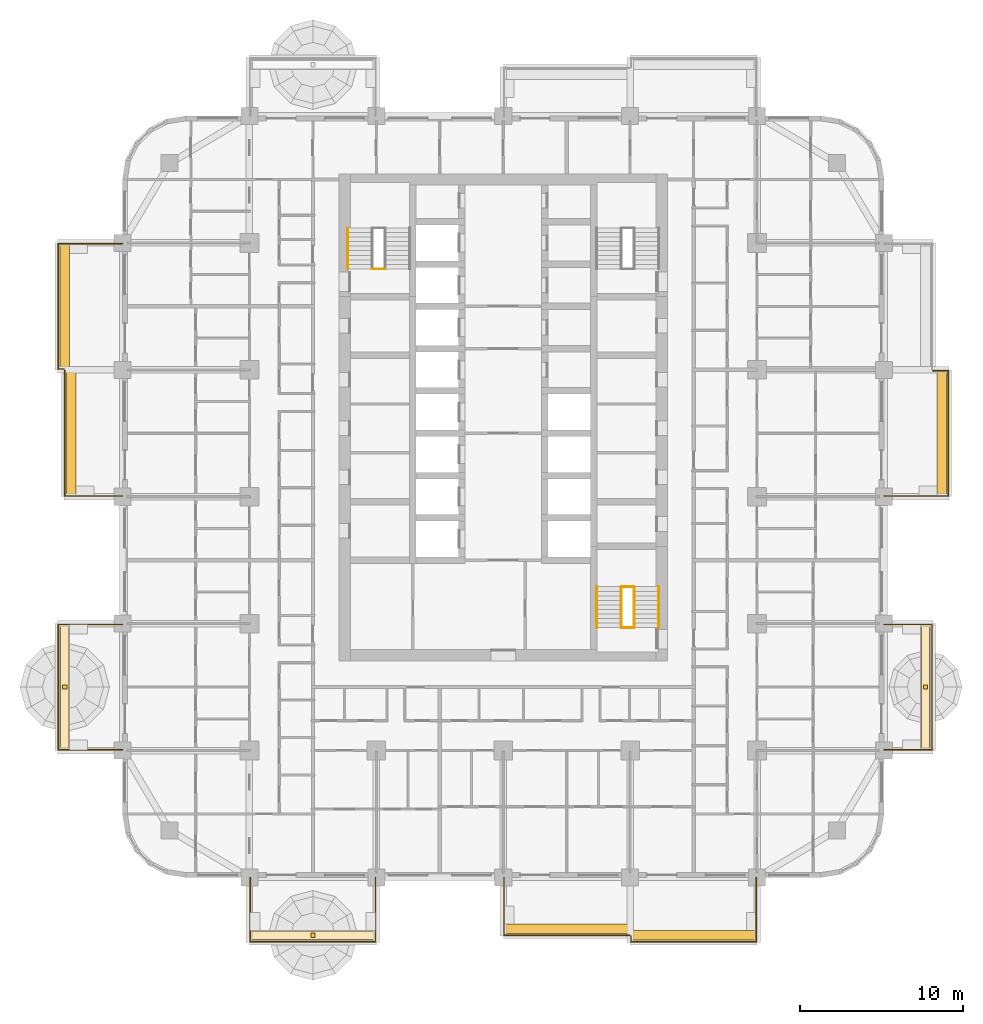
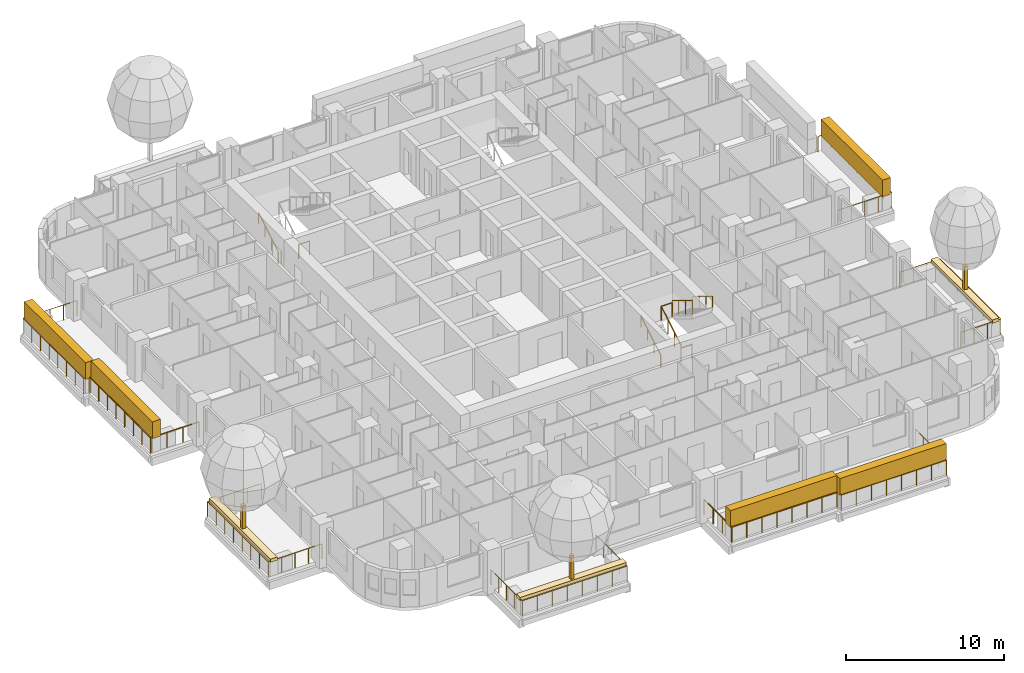
# One storey, part 17 of 19: 16 railings, 11 coverings, 2 elements without a shape of their own.
"""IFC4 building model written with IfcOpenShell, lengths in metres."""

from ifc_helpers import new_model, si_unit, direction, frame, origin, origin_2d, place, context, subcontext, project, spatial, rectangle, circle, extrude, material, layer, layer_set, type_object, element, aggregate, save


model = new_model("IFC4")

# Units and contexts
model_context = context("Model", 3, precision=1e-05, world=origin(), true_north=direction((0.0, 1.0)))
body_context = subcontext(model_context, "Body", "Model", "MODEL_VIEW")
ifc_project = project(units=[si_unit("LENGTHUNIT", "METRE"), si_unit("AREAUNIT", "SQUARE_METRE"), si_unit("VOLUMEUNIT", "CUBIC_METRE"), si_unit("PLANEANGLEUNIT", "RADIAN"), si_unit("MASSUNIT", "GRAM", prefix="KILO")], contexts=[model_context])

# Site, building, storey
site_placement = place(None, origin())
site = spatial("IfcSite", under=ifc_project, at=site_placement, CompositionType="ELEMENT")
building_placement = place(site_placement, origin())
building = spatial("IfcBuilding", under=site, at=building_placement, Name="Ludao Terraces", CompositionType="ELEMENT")
storey_placement = place(building_placement, frame((0.0, 0.0, 36.5)))
storey = spatial("IfcBuildingStorey", under=building, at=storey_placement, Name="L09", CompositionType="ELEMENT", Elevation=36.5)

# Railings
ifc_material_1 = material(Name="Stainless steel 304", Category="steel")
railing_type_1 = type_object("IfcRailingType", Name="ENV Balcony glass guard 1200", PredefinedType="GUARDRAIL", material=ifc_material_1)
railing_1_placement = place(storey_placement, frame((69.449951171875, 41.60009765625, 0.0)))
element("IfcRailing", 1, at=railing_1_placement, inside=storey, type_object=railing_type_1, Name="Balcony guard L09 S1", PredefinedType="GUARDRAIL", context=body_context, shape_type="SweptSolid", body=[
    extrude(circle(Radius=0.02392578125, at=origin_2d()), frame((0.0, 0.0, 1.17578125), z_axis=(0.0, -1.0, 0.0), x_axis=(1.0, 0.0, 0.0)), (0.0, 0.0, 1.0), 3.9501953125),
    extrude(circle(Radius=0.02392578125, at=origin_2d()), frame((0.0, -3.9501953125, 1.17578125), z_axis=(1.0, 0.0, 0.0), x_axis=(0.0, 1.0, 0.0)), (0.0, 0.0, 1.0), 7.699951171875),
    extrude(circle(Radius=0.02392578125, at=origin_2d()), frame((7.699951171875, -3.9501953125, 1.17578125), z_axis=(0.0, 1.0, 0.0), x_axis=(-1.0, 0.0, 0.0)), (0.0, 0.0, 1.0), 3.9501953125),
    extrude(circle(Radius=0.02099609375, at=origin_2d()), origin(), (0.0, 0.0, 1.0), 1.15185546875),
    extrude(circle(Radius=0.02099609375, at=origin_2d()), frame((0.0, -0.987548828125, 0.0)), (0.0, 0.0, 1.0), 1.15185546875),
    extrude(circle(Radius=0.02099609375, at=origin_2d()), frame((0.0, -1.97509765625, 0.0)), (0.0, 0.0, 1.0), 1.15185546875),
    extrude(circle(Radius=0.02099609375, at=origin_2d()), frame((0.0, -2.962646484375, 0.0)), (0.0, 0.0, 1.0), 1.15185546875),
    extrude(circle(Radius=0.02099609375, at=origin_2d()), frame((0.0, -3.9501953125, 0.0)), (0.0, 0.0, 1.0), 1.15185546875),
    extrude(circle(Radius=0.02099609375, at=origin_2d()), frame((1.10009765625, -3.9501953125, 0.0)), (0.0, 0.0, 1.0), 1.15185546875),
    extrude(circle(Radius=0.02099609375, at=origin_2d()), frame((2.199951171875, -3.9501953125, 0.0)), (0.0, 0.0, 1.0), 1.15185546875),
    extrude(circle(Radius=0.02099609375, at=origin_2d()), frame((3.300048828125, -3.9501953125, 0.0)), (0.0, 0.0, 1.0), 1.15185546875),
    extrude(circle(Radius=0.02099609375, at=origin_2d()), frame((4.39990234375, -3.9501953125, 0.0)), (0.0, 0.0, 1.0), 1.15185546875),
    extrude(circle(Radius=0.02099609375, at=origin_2d()), frame((5.5, -3.9501953125, 0.0)), (0.0, 0.0, 1.0), 1.15185546875),
    extrude(circle(Radius=0.02099609375, at=origin_2d()), frame((6.599853515625, -3.9501953125, 0.0)), (0.0, 0.0, 1.0), 1.15185546875),
    extrude(circle(Radius=0.02099609375, at=origin_2d()), frame((7.699951171875, -3.9501953125, 0.0)), (0.0, 0.0, 1.0), 1.15185546875),
    extrude(circle(Radius=0.02099609375, at=origin_2d()), frame((7.699951171875, -2.962646484375, 0.0)), (0.0, 0.0, 1.0), 1.15185546875),
    extrude(circle(Radius=0.02099609375, at=origin_2d()), frame((7.699951171875, -1.97509765625, 0.0)), (0.0, 0.0, 1.0), 1.15185546875),
    extrude(circle(Radius=0.02099609375, at=origin_2d()), frame((7.699951171875, -0.987548828125, 0.0)), (0.0, 0.0, 1.0), 1.15185546875),
    extrude(circle(Radius=0.02099609375, at=origin_2d()), frame((7.699951171875, 0.0, 0.0)), (0.0, 0.0, 1.0), 1.15185546875),
])
railing_2_placement = place(storey_placement, frame((85.050048828125, 41.60009765625, 0.0)))
element("IfcRailing", 2, at=railing_2_placement, inside=storey, type_object=railing_type_1, Name="Balcony guard L09 S3", PredefinedType="GUARDRAIL", context=body_context, shape_type="SweptSolid", body=[
    extrude(circle(Radius=0.02392578125, at=origin_2d()), frame((0.0, 0.0, 1.17578125), z_axis=(0.0, -1.0, 0.0), x_axis=(1.0, 0.0, 0.0)), (0.0, 0.0, 1.0), 3.550048828125),
    extrude(circle(Radius=0.02392578125, at=origin_2d()), frame((0.0, -3.550048828125, 1.17578125), z_axis=(1.0, 0.0, 0.0), x_axis=(0.0, 1.0, 0.0)), (0.0, 0.0, 1.0), 7.699951171875),
    extrude(circle(Radius=0.02099609375, at=origin_2d()), origin(), (0.0, 0.0, 1.0), 1.15185546875),
    extrude(circle(Radius=0.02099609375, at=origin_2d()), frame((0.0, -1.183349609375, 0.0)), (0.0, 0.0, 1.0), 1.15185546875),
    extrude(circle(Radius=0.02099609375, at=origin_2d()), frame((0.0, -2.36669921875, 0.0)), (0.0, 0.0, 1.0), 1.15185546875),
    extrude(circle(Radius=0.02099609375, at=origin_2d()), frame((0.0, -3.550048828125, 0.0)), (0.0, 0.0, 1.0), 1.15185546875),
    extrude(circle(Radius=0.02099609375, at=origin_2d()), frame((1.10009765625, -3.550048828125, 0.0)), (0.0, 0.0, 1.0), 1.15185546875),
    extrude(circle(Radius=0.02099609375, at=origin_2d()), frame((2.199951171875, -3.550048828125, 0.0)), (0.0, 0.0, 1.0), 1.15185546875),
    extrude(circle(Radius=0.02099609375, at=origin_2d()), frame((3.300048828125, -3.550048828125, 0.0)), (0.0, 0.0, 1.0), 1.15185546875),
    extrude(circle(Radius=0.02099609375, at=origin_2d()), frame((4.39990234375, -3.550048828125, 0.0)), (0.0, 0.0, 1.0), 1.15185546875),
    extrude(circle(Radius=0.02099609375, at=origin_2d()), frame((5.5, -3.550048828125, 0.0)), (0.0, 0.0, 1.0), 1.15185546875),
    extrude(circle(Radius=0.02099609375, at=origin_2d()), frame((6.599853515625, -3.550048828125, 0.0)), (0.0, 0.0, 1.0), 1.15185546875),
    extrude(circle(Radius=0.02099609375, at=origin_2d()), frame((7.699951171875, -3.550048828125, 0.0)), (0.0, 0.0, 1.0), 1.15185546875),
])
railing_3_placement = place(storey_placement, frame((92.85009765625, 38.0, 0.0)))
element("IfcRailing", 3, at=railing_3_placement, inside=storey, type_object=railing_type_1, Name="Balcony guard L09 S4", PredefinedType="GUARDRAIL", context=body_context, shape_type="SweptSolid", body=[
    extrude(circle(Radius=0.02392578125, at=origin_2d()), frame((0.0, 0.0, 1.17578125), z_axis=(0.0, -1.0, 0.0), x_axis=(1.0, 0.0, 0.0)), (0.0, 0.0, 1.0), 0.35009765625),
    extrude(circle(Radius=0.02392578125, at=origin_2d()), frame((0.0, -0.35009765625, 1.17578125), z_axis=(1.0, 0.0, 0.0), x_axis=(0.0, 1.0, 0.0)), (0.0, 0.0, 1.0), 7.699951171875),
    extrude(circle(Radius=0.02392578125, at=origin_2d()), frame((7.699951171875, -0.35009765625, 1.17578125), z_axis=(0.0, 1.0, 0.0), x_axis=(-1.0, 0.0, 0.0)), (0.0, 0.0, 1.0), 3.9501953125),
    extrude(circle(Radius=0.02099609375, at=origin_2d()), origin(), (0.0, 0.0, 1.0), 1.15185546875),
    extrude(circle(Radius=0.02099609375, at=origin_2d()), frame((0.0, -0.35009765625, 0.0)), (0.0, 0.0, 1.0), 1.15185546875),
    extrude(circle(Radius=0.02099609375, at=origin_2d()), frame((1.10009765625, -0.35009765625, 0.0)), (0.0, 0.0, 1.0), 1.15185546875),
    extrude(circle(Radius=0.02099609375, at=origin_2d()), frame((2.199951171875, -0.35009765625, 0.0)), (0.0, 0.0, 1.0), 1.15185546875),
    extrude(circle(Radius=0.02099609375, at=origin_2d()), frame((3.300048828125, -0.35009765625, 0.0)), (0.0, 0.0, 1.0), 1.15185546875),
    extrude(circle(Radius=0.02099609375, at=origin_2d()), frame((4.39990234375, -0.35009765625, 0.0)), (0.0, 0.0, 1.0), 1.15185546875),
    extrude(circle(Radius=0.02099609375, at=origin_2d()), frame((5.5, -0.35009765625, 0.0)), (0.0, 0.0, 1.0), 1.15185546875),
    extrude(circle(Radius=0.02099609375, at=origin_2d()), frame((6.599853515625, -0.35009765625, 0.0)), (0.0, 0.0, 1.0), 1.15185546875),
    extrude(circle(Radius=0.02099609375, at=origin_2d()), frame((7.699951171875, -0.35009765625, 0.0)), (0.0, 0.0, 1.0), 1.15185546875),
    extrude(circle(Radius=0.02099609375, at=origin_2d()), frame((7.699951171875, 0.637451171875, 0.0)), (0.0, 0.0, 1.0), 1.15185546875),
    extrude(circle(Radius=0.02099609375, at=origin_2d()), frame((7.699951171875, 1.625, 0.0)), (0.0, 0.0, 1.0), 1.15185546875),
    extrude(circle(Radius=0.02099609375, at=origin_2d()), frame((7.699951171875, 2.612548828125, 0.0)), (0.0, 0.0, 1.0), 1.15185546875),
    extrude(circle(Radius=0.02099609375, at=origin_2d()), frame((7.699951171875, 3.60009765625, 0.0)), (0.0, 0.0, 1.0), 1.15185546875),
])
railing_4_placement = place(storey_placement, frame((108.39990234375, 49.449951171875, 0.0)))
element("IfcRailing", 4, at=railing_4_placement, inside=storey, type_object=railing_type_1, Name="Balcony guard L09 E1", PredefinedType="GUARDRAIL", context=body_context, shape_type="SweptSolid", body=[
    extrude(circle(Radius=0.02392578125, at=origin_2d()), frame((0.0, 0.0, 1.17578125), z_axis=(1.0, 0.0, 0.0), x_axis=(0.0, 1.0, 0.0)), (0.0, 0.0, 1.0), 2.9501953125),
    extrude(circle(Radius=0.02392578125, at=origin_2d()), frame((2.9501953125, 0.0, 1.17578125), z_axis=(0.0, 1.0, 0.0), x_axis=(-1.0, 0.0, 0.0)), (0.0, 0.0, 1.0), 7.699951171875),
    extrude(circle(Radius=0.02392578125, at=origin_2d()), frame((2.9501953125, 7.699951171875, 1.17578125), z_axis=(-1.0, 0.0, 0.0), x_axis=(0.0, -1.0, 0.0)), (0.0, 0.0, 1.0), 2.9501953125),
    extrude(circle(Radius=0.02099609375, at=origin_2d()), origin(), (0.0, 0.0, 1.0), 1.15185546875),
    extrude(circle(Radius=0.02099609375, at=origin_2d()), frame((0.9833984375, 0.0, 0.0)), (0.0, 0.0, 1.0), 1.15185546875),
    extrude(circle(Radius=0.02099609375, at=origin_2d()), frame((1.966796875, 0.0, 0.0)), (0.0, 0.0, 1.0), 1.15185546875),
    extrude(circle(Radius=0.02099609375, at=origin_2d()), frame((2.9501953125, 0.0, 0.0)), (0.0, 0.0, 1.0), 1.15185546875),
    extrude(circle(Radius=0.02099609375, at=origin_2d()), frame((2.9501953125, 1.10009765625, 0.0)), (0.0, 0.0, 1.0), 1.15185546875),
    extrude(circle(Radius=0.02099609375, at=origin_2d()), frame((2.9501953125, 2.199951171875, 0.0)), (0.0, 0.0, 1.0), 1.15185546875),
    extrude(circle(Radius=0.02099609375, at=origin_2d()), frame((2.9501953125, 3.300048828125, 0.0)), (0.0, 0.0, 1.0), 1.15185546875),
    extrude(circle(Radius=0.02099609375, at=origin_2d()), frame((2.9501953125, 4.39990234375, 0.0)), (0.0, 0.0, 1.0), 1.15185546875),
    extrude(circle(Radius=0.02099609375, at=origin_2d()), frame((2.9501953125, 5.5, 0.0)), (0.0, 0.0, 1.0), 1.15185546875),
    extrude(circle(Radius=0.02099609375, at=origin_2d()), frame((2.9501953125, 6.599853515625, 0.0)), (0.0, 0.0, 1.0), 1.15185546875),
    extrude(circle(Radius=0.02099609375, at=origin_2d()), frame((2.9501953125, 7.699951171875, 0.0)), (0.0, 0.0, 1.0), 1.15185546875),
    extrude(circle(Radius=0.02099609375, at=origin_2d()), frame((1.966796875, 7.699951171875, 0.0)), (0.0, 0.0, 1.0), 1.15185546875),
    extrude(circle(Radius=0.02099609375, at=origin_2d()), frame((0.9833984375, 7.699951171875, 0.0)), (0.0, 0.0, 1.0), 1.15185546875),
    extrude(circle(Radius=0.02099609375, at=origin_2d()), frame((0.0, 7.699951171875, 0.0)), (0.0, 0.0, 1.0), 1.15185546875),
])
railing_5_placement = place(storey_placement, frame((108.39990234375, 65.050048828125, 0.0)))
element("IfcRailing", 5, at=railing_5_placement, inside=storey, type_object=railing_type_1, Name="Balcony guard L09 E3", PredefinedType="GUARDRAIL", context=body_context, shape_type="SweptSolid", body=[
    extrude(circle(Radius=0.02392578125, at=origin_2d()), frame((0.0, 0.0, 1.17578125), z_axis=(1.0, 0.0, 0.0), x_axis=(0.0, 1.0, 0.0)), (0.0, 0.0, 1.0), 3.9501953125),
    extrude(circle(Radius=0.02392578125, at=origin_2d()), frame((3.9501953125, 0.0, 1.17578125), z_axis=(0.0, 1.0, 0.0), x_axis=(-1.0, 0.0, 0.0)), (0.0, 0.0, 1.0), 7.699951171875),
    extrude(circle(Radius=0.02392578125, at=origin_2d()), frame((3.9501953125, 7.699951171875, 1.17578125), z_axis=(-1.0, 0.0, 0.0), x_axis=(0.0, -1.0, 0.0)), (0.0, 0.0, 1.0), 0.9501953125),
    extrude(circle(Radius=0.02099609375, at=origin_2d()), origin(), (0.0, 0.0, 1.0), 1.15185546875),
    extrude(circle(Radius=0.02099609375, at=origin_2d()), frame((0.987548828125, 0.0, 0.0)), (0.0, 0.0, 1.0), 1.15185546875),
    extrude(circle(Radius=0.02099609375, at=origin_2d()), frame((1.97509765625, 0.0, 0.0)), (0.0, 0.0, 1.0), 1.15185546875),
    extrude(circle(Radius=0.02099609375, at=origin_2d()), frame((2.962646484375, 0.0, 0.0)), (0.0, 0.0, 1.0), 1.15185546875),
    extrude(circle(Radius=0.02099609375, at=origin_2d()), frame((3.9501953125, 0.0, 0.0)), (0.0, 0.0, 1.0), 1.15185546875),
    extrude(circle(Radius=0.02099609375, at=origin_2d()), frame((3.9501953125, 1.10009765625, 0.0)), (0.0, 0.0, 1.0), 1.15185546875),
    extrude(circle(Radius=0.02099609375, at=origin_2d()), frame((3.9501953125, 2.199951171875, 0.0)), (0.0, 0.0, 1.0), 1.15185546875),
    extrude(circle(Radius=0.02099609375, at=origin_2d()), frame((3.9501953125, 3.300048828125, 0.0)), (0.0, 0.0, 1.0), 1.15185546875),
    extrude(circle(Radius=0.02099609375, at=origin_2d()), frame((3.9501953125, 4.39990234375, 0.0)), (0.0, 0.0, 1.0), 1.15185546875),
    extrude(circle(Radius=0.02099609375, at=origin_2d()), frame((3.9501953125, 5.5, 0.0)), (0.0, 0.0, 1.0), 1.15185546875),
    extrude(circle(Radius=0.02099609375, at=origin_2d()), frame((3.9501953125, 6.599853515625, 0.0)), (0.0, 0.0, 1.0), 1.15185546875),
    extrude(circle(Radius=0.02099609375, at=origin_2d()), frame((3.9501953125, 7.699951171875, 0.0)), (0.0, 0.0, 1.0), 1.15185546875),
    extrude(circle(Radius=0.02099609375, at=origin_2d()), frame((3.0, 7.699951171875, 0.0)), (0.0, 0.0, 1.0), 1.15185546875),
])
railing_6_placement = place(storey_placement, frame((61.60009765625, 49.449951171875, 0.0)))
element("IfcRailing", 6, at=railing_6_placement, inside=storey, type_object=railing_type_1, Name="Balcony guard L09 W1", PredefinedType="GUARDRAIL", context=body_context, shape_type="SweptSolid", body=[
    extrude(circle(Radius=0.02392578125, at=origin_2d()), frame((0.0, 0.0, 1.17578125), z_axis=(-1.0, 0.0, 0.0), x_axis=(0.0, -1.0, 0.0)), (0.0, 0.0, 1.0), 3.9501953125),
    extrude(circle(Radius=0.02392578125, at=origin_2d()), frame((-3.9501953125, 0.0, 1.17578125), z_axis=(0.0, 1.0, 0.0), x_axis=(-1.0, 0.0, 0.0)), (0.0, 0.0, 1.0), 7.699951171875),
    extrude(circle(Radius=0.02392578125, at=origin_2d()), frame((-3.9501953125, 7.699951171875, 1.17578125), z_axis=(1.0, 0.0, 0.0), x_axis=(0.0, 1.0, 0.0)), (0.0, 0.0, 1.0), 3.9501953125),
    extrude(circle(Radius=0.02099609375, at=origin_2d()), origin(), (0.0, 0.0, 1.0), 1.15185546875),
    extrude(circle(Radius=0.02099609375, at=origin_2d()), frame((-0.987548828125, 0.0, 0.0)), (0.0, 0.0, 1.0), 1.15185546875),
    extrude(circle(Radius=0.02099609375, at=origin_2d()), frame((-1.97509765625, 0.0, 0.0)), (0.0, 0.0, 1.0), 1.15185546875),
    extrude(circle(Radius=0.02099609375, at=origin_2d()), frame((-2.962646484375, 0.0, 0.0)), (0.0, 0.0, 1.0), 1.15185546875),
    extrude(circle(Radius=0.02099609375, at=origin_2d()), frame((-3.9501953125, 0.0, 0.0)), (0.0, 0.0, 1.0), 1.15185546875),
    extrude(circle(Radius=0.02099609375, at=origin_2d()), frame((-3.9501953125, 1.10009765625, 0.0)), (0.0, 0.0, 1.0), 1.15185546875),
    extrude(circle(Radius=0.02099609375, at=origin_2d()), frame((-3.9501953125, 2.199951171875, 0.0)), (0.0, 0.0, 1.0), 1.15185546875),
    extrude(circle(Radius=0.02099609375, at=origin_2d()), frame((-3.9501953125, 3.300048828125, 0.0)), (0.0, 0.0, 1.0), 1.15185546875),
    extrude(circle(Radius=0.02099609375, at=origin_2d()), frame((-3.9501953125, 4.39990234375, 0.0)), (0.0, 0.0, 1.0), 1.15185546875),
    extrude(circle(Radius=0.02099609375, at=origin_2d()), frame((-3.9501953125, 5.5, 0.0)), (0.0, 0.0, 1.0), 1.15185546875),
    extrude(circle(Radius=0.02099609375, at=origin_2d()), frame((-3.9501953125, 6.599853515625, 0.0)), (0.0, 0.0, 1.0), 1.15185546875),
    extrude(circle(Radius=0.02099609375, at=origin_2d()), frame((-3.9501953125, 7.699951171875, 0.0)), (0.0, 0.0, 1.0), 1.15185546875),
    extrude(circle(Radius=0.02099609375, at=origin_2d()), frame((-2.962646484375, 7.699951171875, 0.0)), (0.0, 0.0, 1.0), 1.15185546875),
    extrude(circle(Radius=0.02099609375, at=origin_2d()), frame((-1.97509765625, 7.699951171875, 0.0)), (0.0, 0.0, 1.0), 1.15185546875),
    extrude(circle(Radius=0.02099609375, at=origin_2d()), frame((-0.987548828125, 7.699951171875, 0.0)), (0.0, 0.0, 1.0), 1.15185546875),
    extrude(circle(Radius=0.02099609375, at=origin_2d()), frame((0.0, 7.699951171875, 0.0)), (0.0, 0.0, 1.0), 1.15185546875),
])
railing_7_placement = place(storey_placement, frame((61.60009765625, 65.050048828125, 0.0)))
element("IfcRailing", 7, at=railing_7_placement, inside=storey, type_object=railing_type_1, Name="Balcony guard L09 W3", PredefinedType="GUARDRAIL", context=body_context, shape_type="SweptSolid", body=[
    extrude(circle(Radius=0.02392578125, at=origin_2d()), frame((0.0, 0.0, 1.17578125), z_axis=(-1.0, 0.0, 0.0), x_axis=(0.0, -1.0, 0.0)), (0.0, 0.0, 1.0), 3.550048828125),
    extrude(circle(Radius=0.02392578125, at=origin_2d()), frame((-3.550048828125, 0.0, 1.17578125), z_axis=(0.0, 1.0, 0.0), x_axis=(-1.0, 0.0, 0.0)), (0.0, 0.0, 1.0), 7.699951171875),
    extrude(circle(Radius=0.02099609375, at=origin_2d()), origin(), (0.0, 0.0, 1.0), 1.15185546875),
    extrude(circle(Radius=0.02099609375, at=origin_2d()), frame((-1.183349609375, 0.0, 0.0)), (0.0, 0.0, 1.0), 1.15185546875),
    extrude(circle(Radius=0.02099609375, at=origin_2d()), frame((-2.36669921875, 0.0, 0.0)), (0.0, 0.0, 1.0), 1.15185546875),
    extrude(circle(Radius=0.02099609375, at=origin_2d()), frame((-3.550048828125, 0.0, 0.0)), (0.0, 0.0, 1.0), 1.15185546875),
    extrude(circle(Radius=0.02099609375, at=origin_2d()), frame((-3.550048828125, 1.10009765625, 0.0)), (0.0, 0.0, 1.0), 1.15185546875),
    extrude(circle(Radius=0.02099609375, at=origin_2d()), frame((-3.550048828125, 2.199951171875, 0.0)), (0.0, 0.0, 1.0), 1.15185546875),
    extrude(circle(Radius=0.02099609375, at=origin_2d()), frame((-3.550048828125, 3.300048828125, 0.0)), (0.0, 0.0, 1.0), 1.15185546875),
    extrude(circle(Radius=0.02099609375, at=origin_2d()), frame((-3.550048828125, 4.39990234375, 0.0)), (0.0, 0.0, 1.0), 1.15185546875),
    extrude(circle(Radius=0.02099609375, at=origin_2d()), frame((-3.550048828125, 5.5, 0.0)), (0.0, 0.0, 1.0), 1.15185546875),
    extrude(circle(Radius=0.02099609375, at=origin_2d()), frame((-3.550048828125, 6.599853515625, 0.0)), (0.0, 0.0, 1.0), 1.15185546875),
    extrude(circle(Radius=0.02099609375, at=origin_2d()), frame((-3.550048828125, 7.699951171875, 0.0)), (0.0, 0.0, 1.0), 1.15185546875),
])
railing_8_placement = place(storey_placement, frame((58.0, 72.85009765625, 0.0)))
element("IfcRailing", 8, at=railing_8_placement, inside=storey, type_object=railing_type_1, Name="Balcony guard L09 W4", PredefinedType="GUARDRAIL", context=body_context, shape_type="SweptSolid", body=[
    extrude(circle(Radius=0.02392578125, at=origin_2d()), frame((0.0, 0.0, 1.17578125), z_axis=(-1.0, 0.0, 0.0), x_axis=(0.0, -1.0, 0.0)), (0.0, 0.0, 1.0), 0.35009765625),
    extrude(circle(Radius=0.02392578125, at=origin_2d()), frame((-0.35009765625, 0.0, 1.17578125), z_axis=(0.0, 1.0, 0.0), x_axis=(-1.0, 0.0, 0.0)), (0.0, 0.0, 1.0), 7.699951171875),
    extrude(circle(Radius=0.02392578125, at=origin_2d()), frame((-0.35009765625, 7.699951171875, 1.17578125), z_axis=(1.0, 0.0, 0.0), x_axis=(0.0, 1.0, 0.0)), (0.0, 0.0, 1.0), 3.9501953125),
    extrude(circle(Radius=0.02099609375, at=origin_2d()), origin(), (0.0, 0.0, 1.0), 1.15185546875),
    extrude(circle(Radius=0.02099609375, at=origin_2d()), frame((-0.35009765625, 0.0, 0.0)), (0.0, 0.0, 1.0), 1.15185546875),
    extrude(circle(Radius=0.02099609375, at=origin_2d()), frame((-0.35009765625, 1.10009765625, 0.0)), (0.0, 0.0, 1.0), 1.15185546875),
    extrude(circle(Radius=0.02099609375, at=origin_2d()), frame((-0.35009765625, 2.199951171875, 0.0)), (0.0, 0.0, 1.0), 1.15185546875),
    extrude(circle(Radius=0.02099609375, at=origin_2d()), frame((-0.35009765625, 3.300048828125, 0.0)), (0.0, 0.0, 1.0), 1.15185546875),
    extrude(circle(Radius=0.02099609375, at=origin_2d()), frame((-0.35009765625, 4.39990234375, 0.0)), (0.0, 0.0, 1.0), 1.15185546875),
    extrude(circle(Radius=0.02099609375, at=origin_2d()), frame((-0.35009765625, 5.5, 0.0)), (0.0, 0.0, 1.0), 1.15185546875),
    extrude(circle(Radius=0.02099609375, at=origin_2d()), frame((-0.35009765625, 6.599853515625, 0.0)), (0.0, 0.0, 1.0), 1.15185546875),
    extrude(circle(Radius=0.02099609375, at=origin_2d()), frame((-0.35009765625, 7.699951171875, 0.0)), (0.0, 0.0, 1.0), 1.15185546875),
    extrude(circle(Radius=0.02099609375, at=origin_2d()), frame((0.637451171875, 7.699951171875, 0.0)), (0.0, 0.0, 1.0), 1.15185546875),
    extrude(circle(Radius=0.02099609375, at=origin_2d()), frame((1.625, 7.699951171875, 0.0)), (0.0, 0.0, 1.0), 1.15185546875),
    extrude(circle(Radius=0.02099609375, at=origin_2d()), frame((2.612548828125, 7.699951171875, 0.0)), (0.0, 0.0, 1.0), 1.15185546875),
    extrude(circle(Radius=0.02099609375, at=origin_2d()), frame((3.60009765625, 7.699951171875, 0.0)), (0.0, 0.0, 1.0), 1.15185546875),
])

# Coverings
ifc_material_2 = material(Name="Planting")
ifc_layer_1 = layer(ifc_material_2, 0.5)
ifc_layer_set_1 = layer_set([ifc_layer_1], Name="ENV Planting bed 250")
covering_type_1 = type_object("IfcCoveringType", Name="ENV Planting bed 250", PredefinedType="USERDEFINED", material=ifc_layer_set_1)
covering_placement = place(storey_placement, frame((73.300048828125, 38.050048828125, 1.10009765625), z_axis=(0.0, 0.0, 1.0), x_axis=(1.0, 0.0, 0.0)))
element("IfcCovering", 9, at=covering_placement, inside=storey, type_object=covering_type_1, Name="Planting bed L09-S1", ObjectType="PLANTING", PredefinedType="USERDEFINED", context=body_context, shape_type="SweptSolid", body=[
    extrude(rectangle(XDim=7.800048828125, YDim=0.5, at=origin_2d()), origin(), (0.0, 0.0, 1.0), 0.25),
])
for number, where, z_axis, x_axis, name in (
    (10, (110.949951171875, 53.300048828125, 1.10009765625), (0.0, 0.0, 1.0), (1.0, 0.0, 0.0), "Planting bed L09-E1"),
    (11, (58.050048828125, 53.300048828125, 1.10009765625), (0.0, 0.0, 1.0), (1.0, 0.0, 0.0), "Planting bed L09-W1"),
):
    element("IfcCovering", number, at=place(storey_placement, frame(where, z_axis=z_axis, x_axis=x_axis)), inside=storey, type_object=covering_type_1, Name=name, ObjectType="PLANTING", PredefinedType="USERDEFINED", context=body_context, shape_type="SweptSolid", body=[
        extrude(rectangle(XDim=0.5, YDim=7.800048828125, at=origin_2d()), origin(), (0.0, 0.0, 1.0), 0.25),
    ])
ifc_layer_2 = layer(ifc_material_2, 0.60009765625)
ifc_layer_set_2 = layer_set([ifc_layer_2], Name="ENV Planting hedge 600x1300")
covering_type_2 = type_object("IfcCoveringType", Name="ENV Planting hedge 600x1300", PredefinedType="USERDEFINED", material=ifc_layer_set_2)
for number, where, z_axis, x_axis, name in (
    (12, (88.89990234375, 38.449951171875, 1.10009765625), (0.0, 0.0, 1.0), (1.0, 0.0, 0.0), "Planting hedge L09-S3"),
    (13, (96.699951171875, 38.050048828125, 1.10009765625), (0.0, 0.0, 1.0), (1.0, 0.0, 0.0), "Planting hedge L09-S4"),
):
    element("IfcCovering", number, at=place(storey_placement, frame(where, z_axis=z_axis, x_axis=x_axis)), inside=storey, type_object=covering_type_2, Name=name, ObjectType="PLANTING", PredefinedType="USERDEFINED", context=body_context, shape_type="SweptSolid", body=[
        extrude(rectangle(XDim=7.800048828125, YDim=0.60009765625, at=origin_2d()), origin(), (0.0, 0.0, 1.0), 1.300048828125),
    ])
for number, where, z_axis, x_axis, name in (
    (14, (111.949951171875, 68.89990234375, 1.10009765625), (0.0, 0.0, 1.0), (1.0, 0.0, 0.0), "Planting hedge L09-E3"),
    (15, (58.449951171875, 68.89990234375, 1.10009765625), (0.0, 0.0, 1.0), (1.0, 0.0, 0.0), "Planting hedge L09-W3"),
    (16, (58.050048828125, 76.699951171875, 1.10009765625), (0.0, 0.0, 1.0), (1.0, 0.0, 0.0), "Planting hedge L09-W4"),
):
    element("IfcCovering", number, at=place(storey_placement, frame(where, z_axis=z_axis, x_axis=x_axis)), inside=storey, type_object=covering_type_2, Name=name, ObjectType="PLANTING", PredefinedType="USERDEFINED", context=body_context, shape_type="SweptSolid", body=[
        extrude(rectangle(XDim=0.60009765625, YDim=7.800048828125, at=origin_2d()), origin(), (0.0, 0.0, 1.0), 1.300048828125),
    ])
ifc_material_3 = material(Name="Timber tree trunk", Category="wood")
ifc_layer_3 = layer(ifc_material_3, 0.25)
ifc_layer_set_3 = layer_set([ifc_layer_3], Name="ENV Tree trunk 250x1800")
covering_type_3 = type_object("IfcCoveringType", Name="ENV Tree trunk 250x1800", PredefinedType="USERDEFINED", material=ifc_layer_set_3)
for number, where, z_axis, x_axis, name in (
    (17, (73.300048828125, 38.050048828125, 1.35009765625), (0.0, 0.0, 1.0), (1.0, 0.0, 0.0), "Tree trunk L09 S1"),
    (18, (110.949951171875, 53.300048828125, 1.35009765625), (0.0, 0.0, 1.0), (1.0, 0.0, 0.0), "Tree trunk L09 E1"),
    (19, (58.050048828125, 53.300048828125, 1.35009765625), (0.0, 0.0, 1.0), (1.0, 0.0, 0.0), "Tree trunk L09 W1"),
):
    element("IfcCovering", number, at=place(storey_placement, frame(where, z_axis=z_axis, x_axis=x_axis)), inside=storey, type_object=covering_type_3, Name=name, ObjectType="PLANTING", PredefinedType="USERDEFINED", context=body_context, shape_type="SweptSolid", body=[
        extrude(rectangle(XDim=0.25, YDim=0.25, at=origin_2d()), origin(), (0.0, 0.0, 1.0), 1.800048828125),
    ])

# Stair, railing
ifc_material_4 = material(Name="Concrete C40", Category="concrete")
stair_type = type_object("IfcStairType", Name="INT Stair", PredefinedType="HALF_TURN_STAIR", material=ifc_material_4)
stair_1_placement = place(storey_placement, origin())
stair_1 = element("IfcStair", 20, at=stair_1_placement, inside=storey, type_object=stair_type, Name="EXIT STAIR 1", PredefinedType="HALF_TURN_STAIR")
railing_type_2 = type_object("IfcRailingType", Name="INT Stair guard 1100", PredefinedType="GUARDRAIL", material=ifc_material_1)
railing_9_placement = place(storey_placement, frame((76.949951171875, 79.0, 0.0)))
railing_9 = element("IfcRailing", 21, at=railing_9_placement, type_object=railing_type_2, Name="ST-L09-S1-E2G", PredefinedType="GUARDRAIL", context=body_context, shape_type="SweptSolid", body=[
    extrude(circle(Radius=0.02392578125, at=origin_2d()), frame((0.0, 0.0, 1.076171875), z_axis=(1.0, 0.0, 0.0), x_axis=(0.0, 1.0, 0.0)), (0.0, 0.0, 1.0), 0.800048828125),
    extrude(circle(Radius=0.02099609375, at=origin_2d()), origin(), (0.0, 0.0, 1.0), 1.052001953125),
    extrude(circle(Radius=0.02099609375, at=origin_2d()), frame((0.800048828125, 0.0, 0.0)), (0.0, 0.0, 1.0), 1.052001953125),
])

# Stair, railings
stair_2_placement = place(storey_placement, origin())
stair_2 = element("IfcStair", 22, at=stair_2_placement, inside=storey, type_object=stair_type, Name="EXIT STAIR 3", PredefinedType="HALF_TURN_STAIR")
railing_10_placement = place(storey_placement, frame((92.25, 56.949951171875, 0.169921875)))
railing_10 = element("IfcRailing", 23, at=railing_10_placement, type_object=railing_type_2, Name="ST-L09-S3-R1G", PredefinedType="GUARDRAIL", context=body_context, shape_type="SweptSolid", body=[
    extrude(circle(Radius=0.02392578125, at=origin_2d()), frame((0.0, 0.0, 1.076171875), z_axis=(0.0, 0.85478489116, 0.518982456201), x_axis=(-1.0, 0.0, 0.0)), (0.0, 0.0, 1.0), 2.9482421875),
    extrude(circle(Radius=0.02099609375, at=origin_2d()), origin(), (0.0, 0.0, 1.0), 1.052001953125),
    extrude(circle(Radius=0.02099609375, at=origin_2d()), frame((0.0, 0.840087890625, 0.510009765625)), (0.0, 0.0, 1.0), 1.052001953125),
    extrude(circle(Radius=0.02099609375, at=origin_2d()), frame((0.0, 1.679931640625, 1.02001953125)), (0.0, 0.0, 1.0), 1.052001953125),
    extrude(circle(Radius=0.02099609375, at=origin_2d()), frame((0.0, 2.52001953125, 1.530029296875)), (0.0, 0.0, 1.0), 1.052001953125),
])
railing_11_placement = place(storey_placement, frame((93.050048828125, 59.469970703125, 1.8701171875)))
railing_11 = element("IfcRailing", 24, at=railing_11_placement, type_object=railing_type_2, Name="ST-L09-S3-R2G", PredefinedType="GUARDRAIL", context=body_context, shape_type="SweptSolid", body=[
    extrude(circle(Radius=0.02392578125, at=origin_2d()), frame((0.0, 0.0, 1.076171875), z_axis=(0.0, -0.854821627497, 0.518921945155), x_axis=(1.0, 0.0, 0.0)), (0.0, 0.0, 1.0), 2.947998046875),
    extrude(circle(Radius=0.02099609375, at=origin_2d()), origin(), (0.0, 0.0, 1.0), 1.052001953125),
    extrude(circle(Radius=0.02099609375, at=origin_2d()), frame((0.0, -0.840087890625, 0.510009765625)), (0.0, 0.0, 1.0), 1.052001953125),
    extrude(circle(Radius=0.02099609375, at=origin_2d()), frame((0.0, -1.679931640625, 1.019775390625)), (0.0, 0.0, 1.0), 1.052001953125),
    extrude(circle(Radius=0.02099609375, at=origin_2d()), frame((0.0, -2.52001953125, 1.52978515625)), (0.0, 0.0, 1.0), 1.052001953125),
])
railing_12_placement = place(storey_placement, frame((92.25, 59.469970703125, 1.699951171875)))
railing_12 = element("IfcRailing", 25, at=railing_12_placement, type_object=railing_type_2, Name="ST-L09-S3-E1G", PredefinedType="GUARDRAIL", context=body_context, shape_type="SweptSolid", body=[
    extrude(circle(Radius=0.02392578125, at=origin_2d()), frame((0.0, 0.0, 1.076171875), z_axis=(1.0, 0.0, 0.0), x_axis=(0.0, 1.0, 0.0)), (0.0, 0.0, 1.0), 0.800048828125),
    extrude(circle(Radius=0.02099609375, at=origin_2d()), origin(), (0.0, 0.0, 1.0), 1.052001953125),
    extrude(circle(Radius=0.02099609375, at=origin_2d()), frame((0.800048828125, 0.0, 0.0)), (0.0, 0.0, 1.0), 1.052001953125),
])
railing_13_placement = place(storey_placement, frame((92.25, 56.949951171875, 0.0)))
railing_13 = element("IfcRailing", 26, at=railing_13_placement, type_object=railing_type_2, Name="ST-L09-S3-E2G", PredefinedType="GUARDRAIL", context=body_context, shape_type="SweptSolid", body=[
    extrude(circle(Radius=0.02392578125, at=origin_2d()), frame((0.0, 0.0, 1.076171875), z_axis=(1.0, 0.0, 0.0), x_axis=(0.0, 1.0, 0.0)), (0.0, 0.0, 1.0), 0.800048828125),
    extrude(circle(Radius=0.02099609375, at=origin_2d()), origin(), (0.0, 0.0, 1.0), 1.052001953125),
    extrude(circle(Radius=0.02099609375, at=origin_2d()), frame((0.800048828125, 0.0, 0.0)), (0.0, 0.0, 1.0), 1.052001953125),
])

# Railing
railing_type_3 = type_object("IfcRailingType", Name="INT Stair handrail 900", PredefinedType="HANDRAIL", material=ifc_material_1)
railing_14_placement = place(storey_placement, frame((75.449951171875, 79.0, 0.169921875)))
railing_14 = element("IfcRailing", 27, at=railing_14_placement, type_object=railing_type_3, Name="ST-L09-S1-R1H", PredefinedType="HANDRAIL", context=body_context, shape_type="SweptSolid", body=[
    extrude(circle(Radius=0.02392578125, at=origin_2d()), frame((0.0, 0.0, 0.8759765625), z_axis=(0.0, 0.85478489116, 0.518982456201), x_axis=(-1.0, 0.0, 0.0)), (0.0, 0.0, 1.0), 2.9482421875),
    extrude(circle(Radius=0.02099609375, at=origin_2d()), origin(), (0.0, 0.0, 1.0), 0.851806640625),
    extrude(circle(Radius=0.02099609375, at=origin_2d()), frame((0.0, 0.840087890625, 0.510009765625)), (0.0, 0.0, 1.0), 0.851806640625),
    extrude(circle(Radius=0.02099609375, at=origin_2d()), frame((0.0, 1.679931640625, 1.02001953125)), (0.0, 0.0, 1.0), 0.851806640625),
    extrude(circle(Radius=0.02099609375, at=origin_2d()), frame((0.0, 2.52001953125, 1.530029296875)), (0.0, 0.0, 1.0), 0.851806640625),
])

aggregate(stair_1, [railing_14, railing_9])

railing_15_placement = place(storey_placement, frame((90.75, 56.949951171875, 0.169921875)))
railing_15 = element("IfcRailing", 28, at=railing_15_placement, type_object=railing_type_3, Name="ST-L09-S3-R1H", PredefinedType="HANDRAIL", context=body_context, shape_type="SweptSolid", body=[
    extrude(circle(Radius=0.02392578125, at=origin_2d()), frame((0.0, 0.0, 0.8759765625), z_axis=(0.0, 0.85478489116, 0.518982456201), x_axis=(-1.0, 0.0, 0.0)), (0.0, 0.0, 1.0), 2.9482421875),
    extrude(circle(Radius=0.02099609375, at=origin_2d()), origin(), (0.0, 0.0, 1.0), 0.851806640625),
    extrude(circle(Radius=0.02099609375, at=origin_2d()), frame((0.0, 0.840087890625, 0.510009765625)), (0.0, 0.0, 1.0), 0.851806640625),
    extrude(circle(Radius=0.02099609375, at=origin_2d()), frame((0.0, 1.679931640625, 1.02001953125)), (0.0, 0.0, 1.0), 0.851806640625),
    extrude(circle(Radius=0.02099609375, at=origin_2d()), frame((0.0, 2.52001953125, 1.530029296875)), (0.0, 0.0, 1.0), 0.851806640625),
])

railing_16_placement = place(storey_placement, frame((94.550048828125, 59.469970703125, 1.8701171875)))
railing_16 = element("IfcRailing", 29, at=railing_16_placement, type_object=railing_type_3, Name="ST-L09-S3-R2H", PredefinedType="HANDRAIL", context=body_context, shape_type="SweptSolid", body=[
    extrude(circle(Radius=0.02392578125, at=origin_2d()), frame((0.0, 0.0, 0.8759765625), z_axis=(0.0, -0.854821627497, 0.518921945155), x_axis=(1.0, 0.0, 0.0)), (0.0, 0.0, 1.0), 2.947998046875),
    extrude(circle(Radius=0.02099609375, at=origin_2d()), origin(), (0.0, 0.0, 1.0), 0.851806640625),
    extrude(circle(Radius=0.02099609375, at=origin_2d()), frame((0.0, -0.840087890625, 0.510009765625)), (0.0, 0.0, 1.0), 0.851806640625),
    extrude(circle(Radius=0.02099609375, at=origin_2d()), frame((0.0, -1.679931640625, 1.019775390625)), (0.0, 0.0, 1.0), 0.851806640625),
    extrude(circle(Radius=0.02099609375, at=origin_2d()), frame((0.0, -2.52001953125, 1.52978515625)), (0.0, 0.0, 1.0), 0.851806640625),
])

aggregate(stair_2, [railing_10, railing_15, railing_11, railing_16, railing_12, railing_13])

save(model, "model.ifc")
